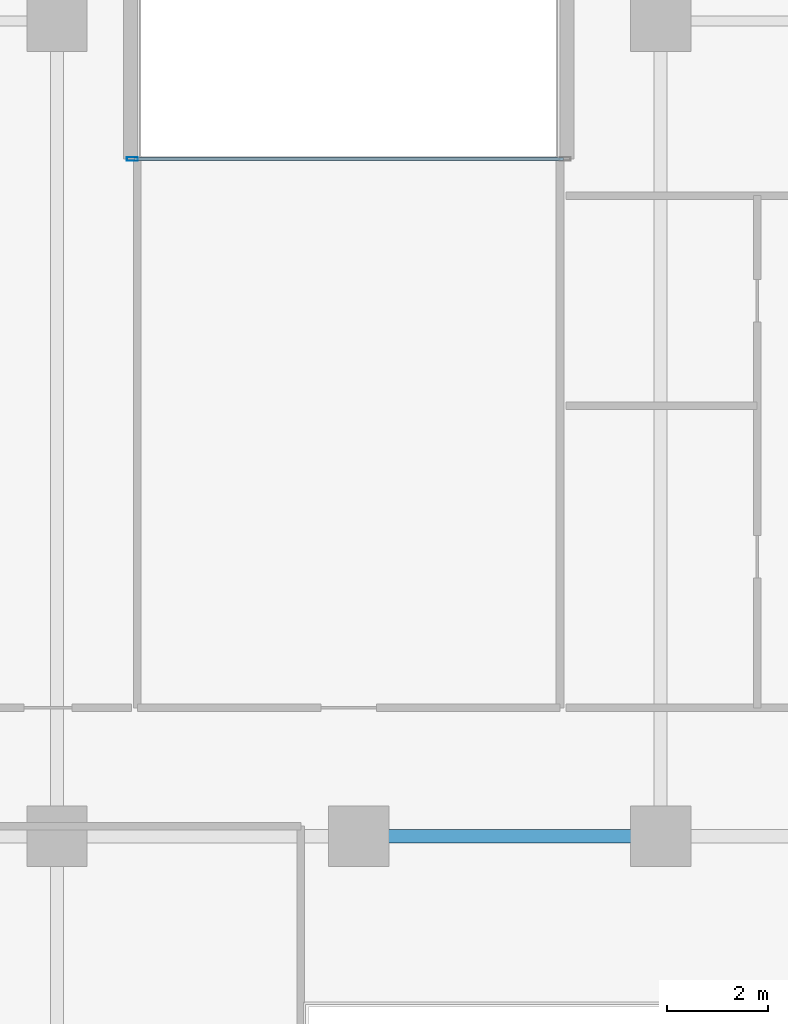
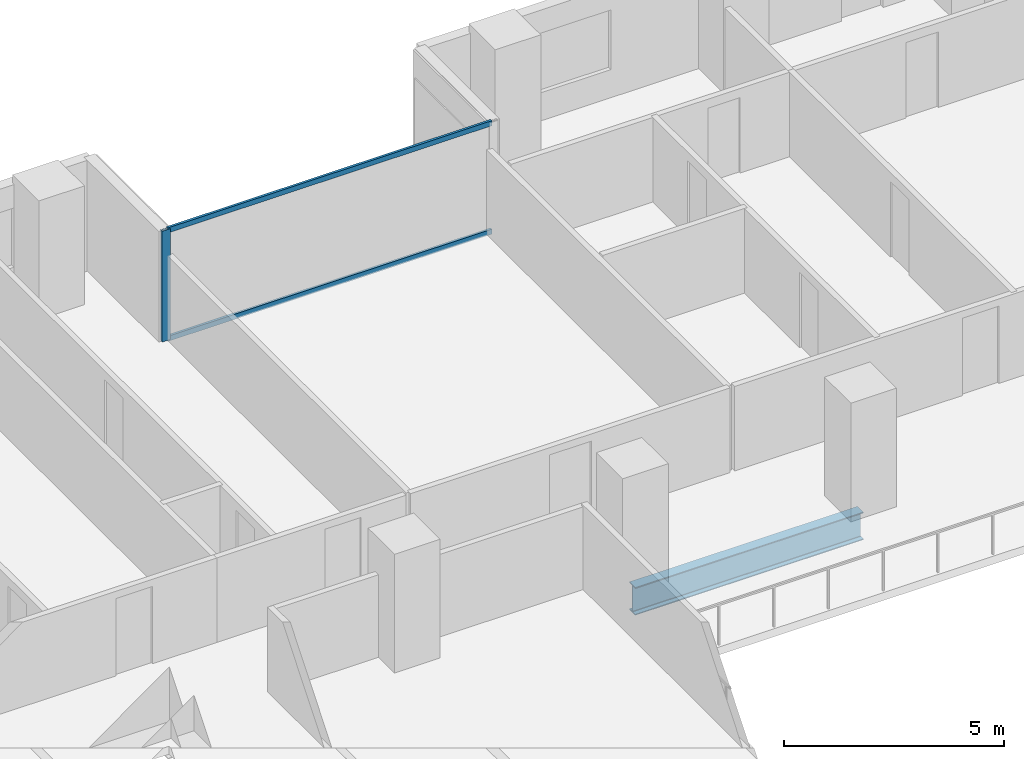
# One storey, part 6 of 26: 3 members, 1 beam, 1 element without a shape of its own.
"""IFC4 building model written with IfcOpenShell, lengths in metres."""

from ifc_helpers import new_model, si_unit, direction, frame, origin, origin_2d, place, context, subcontext, project, spatial, hollow_rectangle, i_section, extrude, material, layer, layer_set, material_profile, profile_set, type_object, element, aggregate, save


model = new_model("IFC4")

# Units and contexts
model_context = context("Model", 3, precision=1e-05, world=origin(), true_north=direction((0.0, 1.0)))
body_context = subcontext(model_context, "Body", "Model", "MODEL_VIEW")
ifc_project = project(units=[si_unit("LENGTHUNIT", "METRE"), si_unit("AREAUNIT", "SQUARE_METRE"), si_unit("VOLUMEUNIT", "CUBIC_METRE"), si_unit("PLANEANGLEUNIT", "RADIAN"), si_unit("MASSUNIT", "GRAM", prefix="KILO")], contexts=[model_context])

# Site, building, storey
site_placement = place(None, origin())
site = spatial("IfcSite", under=ifc_project, at=site_placement, CompositionType="ELEMENT")
building_placement = place(site_placement, origin())
building = spatial("IfcBuilding", under=site, at=building_placement, Name="Tanjung Sevakor Pilgrim Tower", CompositionType="ELEMENT")
storey_placement = place(building_placement, frame((0.0, 0.0, 48.840087890625)))
storey = spatial("IfcBuildingStorey", under=building, at=storey_placement, Name="L13", CompositionType="ELEMENT", Elevation=48.840087890625)

# Beam
ifc_material_1 = material(Name="Steel S355J2", Category="steel")
ifc_material_profile_1 = material_profile(ifc_material_1, i_section(OverallWidth=0.26806640625, OverallDepth=0.769775390625, WebThickness=0.015625, FlangeThickness=0.025390625, FilletRadius=0.0166015625, at=origin_2d()))
ifc_profile_set_1 = profile_set([ifc_material_profile_1], Name="Steel S355J2")
beam_type = type_object("IfcBeamType", Name="BM-B-G1-UB_762x267x197", PredefinedType="BEAM", material=ifc_profile_set_1)
beam_placement = place(storey_placement, frame((48.0, 42.60009765625, -0.60498046875), z_axis=(1.0, 0.0, 0.0), x_axis=(0.0, 1.0, 0.0)))
element("IfcBeam", 1, at=beam_placement, inside=storey, type_object=beam_type, Name="L13 Primary Floor Girder MAIN Y426-04", PredefinedType="BEAM", context=body_context, shape_type="SweptSolid", body=[
    extrude(i_section(OverallWidth=0.26806640625, OverallDepth=0.769775390625, WebThickness=0.015625, FlangeThickness=0.025390625, FilletRadius=0.0166015625, at=origin_2d()), origin(), (0.0, 0.0, 1.0), 6.0),
])

# Curtain wall, members
ifc_material_2 = material(Name="Aluminium 6063-T6 and Low-E Glass", Category="aluminium")
ifc_layer = layer(ifc_material_2, 0.179931640625)
ifc_layer_set = layer_set([ifc_layer], Name="CW-SYS-CLEFT")
curtain_wall_type = type_object("IfcCurtainWallType", Name="CW-SYS-CLEFT", PredefinedType="NOTDEFINED", material=ifc_layer_set)
curtain_wall_placement = place(storey_placement, origin())
curtain_wall = element("IfcCurtainWall", 2, at=curtain_wall_placement, inside=storey, type_object=curtain_wall_type, Name="L13 Curtain Wall CW-CLF-L13-10", PredefinedType="NOTDEFINED")
ifc_material_3 = material(Name="Aluminium 6063-T6", Category="aluminium")
ifc_material_profile_2 = material_profile(ifc_material_3, hollow_rectangle(XDim=0.074951171875, YDim=0.219970703125, WallThickness=0.0048828125, at=origin_2d()))
ifc_profile_set_2 = profile_set([ifc_material_profile_2], Name="Aluminium 6063-T6")
member_type_1 = type_object("IfcMemberType", Name="TYPE-CWM-2", PredefinedType="MULLION", material=ifc_profile_set_2)
member_1_placement = place(storey_placement, frame((43.49755859375, 56.06005859375, 0.0), z_axis=(0.0, 0.0, 1.0), x_axis=(0.0, -1.0, 0.0)))
member_1 = element("IfcMember", 3, at=member_1_placement, type_object=member_type_1, Name="CW-CLF mullion 2", PredefinedType="MULLION", context=body_context, shape_type="SweptSolid", body=[
    extrude(hollow_rectangle(XDim=0.074951171875, YDim=0.219970703125, WallThickness=0.0048828125, at=origin_2d()), origin(), (0.0, 0.0, 1.0), 3.079833984375),
])
ifc_material_4 = material(Name="Aluminium 6063-T6", Category="aluminium")
ifc_material_profile_3 = material_profile(ifc_material_4, hollow_rectangle(XDim=0.06494140625, YDim=0.139892578125, WallThickness=0.00390625, at=origin_2d()))
ifc_profile_set_3 = profile_set([ifc_material_profile_3], Name="Aluminium 6063-T6")
member_type_2 = type_object("IfcMemberType", Name="TYPE-CWT-1", PredefinedType="USERDEFINED", material=ifc_profile_set_3)
member_2_placement = place(storey_placement, frame((52.06494140625, 56.06005859375, 0.032470703125), z_axis=(-1.0, 0.0, 0.0), x_axis=(0.0, -1.0, 0.0)))
member_2 = element("IfcMember", 4, at=member_2_placement, type_object=member_type_2, Name="CW-CLF transom 1.1", ObjectType="TRANSOM", PredefinedType="USERDEFINED", context=body_context, shape_type="SweptSolid", body=[
    extrude(hollow_rectangle(XDim=0.06494140625, YDim=0.139892578125, WallThickness=0.00390625, at=origin_2d()), origin(), (0.0, 0.0, 1.0), 8.530029296875),
])
member_3_placement = place(storey_placement, frame((52.06494140625, 56.06005859375, 3.04736328125), z_axis=(-1.0, 0.0, 0.0), x_axis=(0.0, -1.0, 0.0)))
member_3 = element("IfcMember", 5, at=member_3_placement, type_object=member_type_2, Name="CW-CLF transom 1.2", ObjectType="TRANSOM", PredefinedType="USERDEFINED", context=body_context, shape_type="SweptSolid", body=[
    extrude(hollow_rectangle(XDim=0.06494140625, YDim=0.139892578125, WallThickness=0.00390625, at=origin_2d()), origin(), (0.0, 0.0, 1.0), 8.530029296875),
])
aggregate(curtain_wall, [member_1, member_2, member_3])

save(model, "model.ifc")
